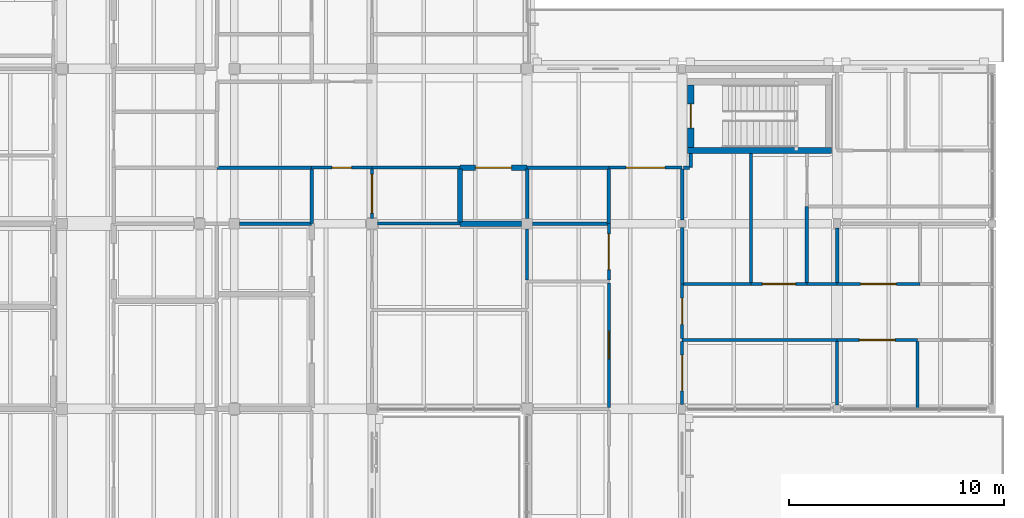
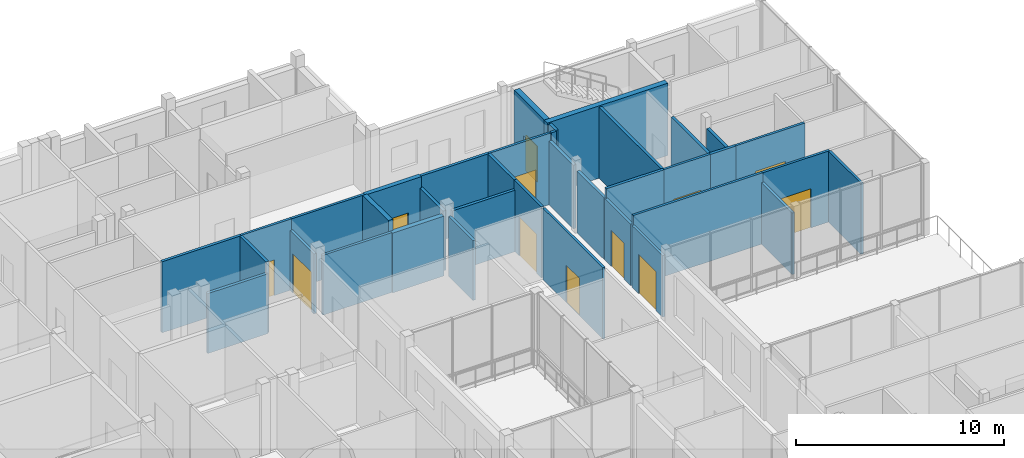
# One storey, part 121 of 146: 37 walls, 12 doors, 12 openings.
"""IFC4 building model written with IfcOpenShell, lengths in metres."""

from ifc_helpers import new_model, si_unit, direction, frame, frame_2d, origin, place, context, subcontext, project, spatial, rectangle, extrude, material, layer, layer_set, type_object, element, fill, save


model = new_model("IFC4")

# Units and contexts
model_context = context("Model", 3, precision=1e-05, world=origin(), true_north=direction((0.0, 1.0)))
body_context = subcontext(model_context, "Body", "Model", "MODEL_VIEW")
ifc_project = project(units=[si_unit("LENGTHUNIT", "METRE"), si_unit("AREAUNIT", "SQUARE_METRE"), si_unit("VOLUMEUNIT", "CUBIC_METRE"), si_unit("PLANEANGLEUNIT", "RADIAN"), si_unit("MASSUNIT", "GRAM", prefix="KILO")], contexts=[model_context])

# Site, building, storey
site_placement = place(None, origin())
site = spatial("IfcSite", under=ifc_project, at=site_placement, CompositionType="ELEMENT")
building_placement = place(site_placement, origin())
building = spatial("IfcBuilding", under=site, at=building_placement, Name="Hawrajan Terrace Health Centre", CompositionType="ELEMENT")
storey_placement = place(building_placement, frame((0.0, 0.0, 4.5)))
storey = spatial("IfcBuildingStorey", under=building, at=storey_placement, Name="L01", CompositionType="ELEMENT", Elevation=4.5)

# Wall, opening, door
ifc_material_1 = material(Name="Gypsum board on acoustic stud framing")
ifc_layer_1 = layer(ifc_material_1, 0.139892578125)
ifc_layer_set_1 = layer_set([ifc_layer_1], Name="Gypsum board on acoustic stud framing")
wall_type_1 = type_object("IfcWallType", Name="ClinicalAcousticWall_140", PredefinedType="PARTITIONING", material=ifc_layer_set_1)
wall_1_placement = place(storey_placement, frame((133.800048828125, 48.0, 0.0), z_axis=(0.0, 0.0, 1.0), x_axis=(1.0, 0.0, 0.0)))
wall_1 = element("IfcWall", 1, at=wall_1_placement, inside=storey, type_object=wall_type_1, Name="Interior wall IW-L01-0769", PredefinedType="PARTITIONING", context=body_context, shape_type="SweptSolid", body=[
    extrude(rectangle(XDim=2.800048828125, YDim=0.139892578125, at=frame_2d((1.39990234375, 0.0))), origin(), (0.0, 0.0, 1.0), 4.179931640625),
])
opening_1_placement = place(wall_1_placement, frame((0.93994140625, 0.0, 0.0)))
opening_1 = element("IfcOpeningElement", 2, at=opening_1_placement, cuts=wall_1, Name="Opening D-L01-285", PredefinedType="OPENING", context=body_context, shape_type="SweptSolid", body=[
    extrude(rectangle(XDim=0.919921875, YDim=2.10009765625, at=frame_2d((0.4599609375, 1.050048828125))), frame((0.0, 0.079833984375, 0.0), z_axis=(0.0, -1.0, 0.0), x_axis=(1.0, 0.0, 0.0)), (0.0, 0.0, 1.0), 0.159912109375),
])
ifc_material_2 = material(Name="Hardwood acoustic clinical door leaf and frame", Category="wood")
door_type_1 = type_object("IfcDoorType", Name="StaffOfficeDoor_920x2100", OperationType="NOTDEFINED", PredefinedType="DOOR", material=ifc_material_2)
door_1_placement = place(opening_1_placement, origin())
door_1 = element("IfcDoor", 3, at=door_1_placement, inside=storey, type_object=door_type_1, Name="Interior door D-L01-285", OperationType="SINGLE_SWING_LEFT", OverallHeight=2.10009765625, OverallWidth=0.919921875, PredefinedType="DOOR", context=body_context, shape_type="SweptSolid", body=[
    extrude(rectangle(XDim=0.919921875, YDim=2.10009765625, at=frame_2d((0.4599609375, 1.050048828125))), frame((0.0, 0.02490234375, 0.0), z_axis=(0.0, -1.0, 0.0), x_axis=(1.0, 0.0, 0.0)), (0.0, 0.0, 1.0), 0.050048828125),
])
fill(opening_1, door_1)

wall_2_placement = place(storey_placement, frame((136.60009765625, 45.64990234375, 0.0), z_axis=(0.0, 0.0, 1.0), x_axis=(0.0, 1.0, 0.0)))
wall_2 = element("IfcWall", 4, at=wall_2_placement, inside=storey, type_object=wall_type_1, Name="Interior wall IW-L01-0780", PredefinedType="PARTITIONING", context=body_context, shape_type="SweptSolid", body=[
    extrude(rectangle(XDim=2.280029296875, YDim=0.139892578125, at=frame_2d((1.14013671875, 0.0))), origin(), (0.0, 0.0, 1.0), 3.52001953125),
])
opening_2_placement = place(wall_2_placement, frame((0.239990234375, 0.0, 0.0)))
opening_2 = element("IfcOpeningElement", 5, at=opening_2_placement, cuts=wall_2, Name="Opening D-L01-409", PredefinedType="OPENING", context=body_context, shape_type="SweptSolid", body=[
    extrude(rectangle(XDim=1.800048828125, YDim=2.300048828125, at=frame_2d((0.89990234375, 1.14990234375))), frame((0.0, 0.079833984375, 0.0), z_axis=(0.0, -1.0, 0.0), x_axis=(1.0, 0.0, 0.0)), (0.0, 0.0, 1.0), 0.159912109375),
])
door_type_2 = type_object("IfcDoorType", Name="EducationHallDoor_1800x2300", OperationType="DOUBLE_DOOR_SINGLE_SWING", PredefinedType="DOOR", material=ifc_material_2)
door_2_placement = place(opening_2_placement, origin())
door_2 = element("IfcDoor", 6, at=door_2_placement, inside=storey, type_object=door_type_2, Name="Interior door D-L01-409", OperationType="DOUBLE_DOOR_SINGLE_SWING", OverallHeight=2.300048828125, OverallWidth=1.800048828125, PredefinedType="DOOR", context=body_context, shape_type="SweptSolid", body=[
    extrude(rectangle(XDim=1.800048828125, YDim=2.300048828125, at=frame_2d((0.89990234375, 1.14990234375))), frame((0.0, 0.02490234375, 0.0), z_axis=(0.0, -1.0, 0.0), x_axis=(1.0, 0.0, 0.0)), (0.0, 0.0, 1.0), 0.050048828125),
])
fill(opening_2, door_2)

# Walls
wall_3_placement = place(storey_placement, frame((136.85009765625, 45.39990234375, 0.0), z_axis=(0.0, 0.0, 1.0), x_axis=(1.0, 0.0, 0.0)))
element("IfcWall", 7, at=wall_3_placement, inside=storey, type_object=wall_type_1, Name="Interior wall IW-L01-0781", PredefinedType="PARTITIONING", context=body_context, shape_type="SweptSolid", body=[
    extrude(rectangle(XDim=3.83984375, YDim=0.139892578125, at=frame_2d((1.919921875, 0.0))), origin(), (0.0, 0.0, 1.0), 3.52001953125),
])
wall_4_placement = place(storey_placement, frame((136.60009765625, 48.0, 0.0), z_axis=(0.0, 0.0, 1.0), x_axis=(1.0, 0.0, 0.0)))
element("IfcWall", 8, at=wall_4_placement, inside=storey, type_object=wall_type_1, Name="Interior wall IW-L01-0782", PredefinedType="PARTITIONING", context=body_context, shape_type="SweptSolid", body=[
    extrude(rectangle(XDim=4.08984375, YDim=0.139892578125, at=frame_2d((2.044921875, 0.0))), origin(), (0.0, 0.0, 1.0), 4.179931640625),
])
wall_5_placement = place(storey_placement, frame((143.800048828125, 42.787109375, 0.0), z_axis=(0.0, 0.0, 1.0), x_axis=(0.0, 1.0, 0.0)))
element("IfcWall", 9, at=wall_5_placement, inside=storey, type_object=wall_type_1, Name="Interior wall IW-L01-0803", PredefinedType="PARTITIONING", context=body_context, shape_type="SweptSolid", body=[
    extrude(rectangle(XDim=2.36279296875, YDim=0.139892578125, at=frame_2d((1.181396484375, 0.0))), origin(), (0.0, 0.0, 1.0), 3.52001953125),
])

# Wall, opening, door
wall_6_placement = place(storey_placement, frame((147.60009765625, 36.8701171875, 0.0), z_axis=(0.0, 0.0, 1.0), x_axis=(0.0, 1.0, 0.0)))
wall_6 = element("IfcWall", 10, at=wall_6_placement, inside=storey, type_object=wall_type_1, Name="Interior wall IW-L01-0813", PredefinedType="PARTITIONING", context=body_context, shape_type="SweptSolid", body=[
    extrude(rectangle(XDim=5.77685546875, YDim=0.139892578125, at=frame_2d((2.888427734375, 0.0))), origin(), (0.0, 0.0, 1.0), 4.179931640625),
])
opening_3_placement = place(wall_6_placement, frame((2.24853515625, 0.0, 0.0)))
opening_3 = element("IfcOpeningElement", 11, at=opening_3_placement, cuts=wall_6, Name="Opening D-L01-417", PredefinedType="OPENING", context=body_context, shape_type="SweptSolid", body=[
    extrude(rectangle(XDim=1.280029296875, YDim=2.199951171875, at=frame_2d((0.64013671875, 1.10009765625))), frame((0.0, 0.079833984375, 0.0), z_axis=(0.0, -1.0, 0.0), x_axis=(1.0, 0.0, 0.0)), (0.0, 0.0, 1.0), 0.159912109375),
])
door_type_3 = type_object("IfcDoorType", Name="ExamSuiteDoor_1280x2200", OperationType="NOTDEFINED", PredefinedType="DOOR", material=ifc_material_2)
door_3_placement = place(opening_3_placement, origin())
door_3 = element("IfcDoor", 12, at=door_3_placement, inside=storey, type_object=door_type_3, Name="Interior door D-L01-417", OperationType="SINGLE_SWING_LEFT", OverallHeight=2.199951171875, OverallWidth=1.280029296875, PredefinedType="DOOR", context=body_context, shape_type="SweptSolid", body=[
    extrude(rectangle(XDim=1.280029296875, YDim=2.199951171875, at=frame_2d((0.64013671875, 1.10009765625))), frame((0.0, 0.02490234375, 0.0), z_axis=(0.0, -1.0, 0.0), x_axis=(1.0, 0.0, 0.0)), (0.0, 0.0, 1.0), 0.050048828125),
])
fill(opening_3, door_3)

wall_7_placement = place(storey_placement, frame((147.60009765625, 42.787109375, 0.0), z_axis=(0.0, 0.0, 1.0), x_axis=(0.0, 1.0, 0.0)))
wall_7 = element("IfcWall", 13, at=wall_7_placement, inside=storey, type_object=wall_type_1, Name="Interior wall IW-L01-0814", PredefinedType="PARTITIONING", context=body_context, shape_type="SweptSolid", body=[
    extrude(rectangle(XDim=2.61279296875, YDim=0.139892578125, at=frame_2d((1.306396484375, 0.0))), origin(), (0.0, 0.0, 1.0), 4.179931640625),
])
opening_4_placement = place(wall_7_placement, frame((0.4765625, 0.0, 0.0)))
opening_4 = element("IfcOpeningElement", 14, at=opening_4_placement, cuts=wall_7, Name="Opening D-L01-418", PredefinedType="OPENING", context=body_context, shape_type="SweptSolid", body=[
    extrude(rectangle(XDim=1.659912109375, YDim=2.300048828125, at=frame_2d((0.830078125, 1.14990234375))), frame((0.0, 0.079833984375, 0.0), z_axis=(0.0, -1.0, 0.0), x_axis=(1.0, 0.0, 0.0)), (0.0, 0.0, 1.0), 0.159912109375),
])
door_type_4 = type_object("IfcDoorType", Name="RehabGymDoor_1660x2300", OperationType="DOUBLE_DOOR_SINGLE_SWING", PredefinedType="DOOR", material=ifc_material_2)
door_4_placement = place(opening_4_placement, origin())
door_4 = element("IfcDoor", 15, at=door_4_placement, inside=storey, type_object=door_type_4, Name="Interior door D-L01-418", OperationType="DOUBLE_DOOR_SINGLE_SWING", OverallHeight=2.300048828125, OverallWidth=1.659912109375, PredefinedType="DOOR", context=body_context, shape_type="SweptSolid", body=[
    extrude(rectangle(XDim=1.659912109375, YDim=2.300048828125, at=frame_2d((0.830078125, 1.14990234375))), frame((0.0, 0.02490234375, 0.0), z_axis=(0.0, -1.0, 0.0), x_axis=(1.0, 0.0, 0.0)), (0.0, 0.0, 1.0), 0.050048828125),
])
fill(opening_4, door_4)

wall_8_placement = place(storey_placement, frame((147.60009765625, 48.0, 0.0), z_axis=(0.0, 0.0, 1.0), x_axis=(1.0, 0.0, 0.0)))
wall_8 = element("IfcWall", 16, at=wall_8_placement, inside=storey, type_object=wall_type_1, Name="Interior wall IW-L01-0815", PredefinedType="PARTITIONING", context=body_context, shape_type="SweptSolid", body=[
    extrude(rectangle(XDim=3.39990234375, YDim=0.139892578125, at=frame_2d((1.699951171875, 0.0))), origin(), (0.0, 0.0, 1.0), 4.179931640625),
])
opening_5_placement = place(wall_8_placement, frame((0.800048828125, 0.0, 0.0)))
opening_5 = element("IfcOpeningElement", 17, at=opening_5_placement, cuts=wall_8, Name="Opening D-L01-280", PredefinedType="OPENING", context=body_context, shape_type="SweptSolid", body=[
    extrude(rectangle(XDim=1.800048828125, YDim=2.300048828125, at=frame_2d((0.89990234375, 1.14990234375))), frame((0.0, 0.079833984375, 0.0), z_axis=(0.0, -1.0, 0.0), x_axis=(1.0, 0.0, 0.0)), (0.0, 0.0, 1.0), 0.159912109375),
])
door_5_placement = place(opening_5_placement, origin())
door_5 = element("IfcDoor", 18, at=door_5_placement, inside=storey, type_object=door_type_2, Name="Interior door D-L01-280", OperationType="DOUBLE_DOOR_SINGLE_SWING", OverallHeight=2.300048828125, OverallWidth=1.800048828125, PredefinedType="DOOR", context=body_context, shape_type="SweptSolid", body=[
    extrude(rectangle(XDim=1.800048828125, YDim=2.300048828125, at=frame_2d((0.89990234375, 1.14990234375))), frame((0.0, 0.02490234375, 0.0), z_axis=(0.0, -1.0, 0.0), x_axis=(1.0, 0.0, 0.0)), (0.0, 0.0, 1.0), 0.050048828125),
])
fill(opening_5, door_5)

wall_9_placement = place(storey_placement, frame((151.0, 37.010009765625, 0.0), z_axis=(0.0, 0.0, 1.0), x_axis=(0.0, 1.0, 0.0)))
wall_9 = element("IfcWall", 19, at=wall_9_placement, inside=storey, type_object=wall_type_1, Name="Interior wall IW-L01-0817", PredefinedType="PARTITIONING", context=body_context, shape_type="SweptSolid", body=[
    extrude(rectangle(XDim=2.919921875, YDim=0.139892578125, at=frame_2d((1.4599609375, 0.0))), origin(), (0.0, 0.0, 1.0), 3.6201171875),
])
opening_6_placement = place(wall_9_placement, frame((0.6298828125, 0.0, 0.0)))
opening_6 = element("IfcOpeningElement", 20, at=opening_6_placement, cuts=wall_9, Name="Opening D-L01-420", PredefinedType="OPENING", context=body_context, shape_type="SweptSolid", body=[
    extrude(rectangle(XDim=1.659912109375, YDim=2.300048828125, at=frame_2d((0.830078125, 1.14990234375))), frame((0.0, 0.079833984375, 0.0), z_axis=(0.0, -1.0, 0.0), x_axis=(1.0, 0.0, 0.0)), (0.0, 0.0, 1.0), 0.159912109375),
])
door_6_placement = place(opening_6_placement, origin())
door_6 = element("IfcDoor", 21, at=door_6_placement, inside=storey, type_object=door_type_4, Name="Interior door D-L01-420", OperationType="DOUBLE_DOOR_SINGLE_SWING", OverallHeight=2.300048828125, OverallWidth=1.659912109375, PredefinedType="DOOR", context=body_context, shape_type="SweptSolid", body=[
    extrude(rectangle(XDim=1.659912109375, YDim=2.300048828125, at=frame_2d((0.830078125, 1.14990234375))), frame((0.0, 0.02490234375, 0.0), z_axis=(0.0, -1.0, 0.0), x_axis=(1.0, 0.0, 0.0)), (0.0, 0.0, 1.0), 0.050048828125),
])
fill(opening_6, door_6)

wall_10_placement = place(storey_placement, frame((151.0, 40.070068359375, 0.0), z_axis=(0.0, 0.0, 1.0), x_axis=(0.0, 1.0, 0.0)))
wall_10 = element("IfcWall", 22, at=wall_10_placement, inside=storey, type_object=wall_type_1, Name="Interior wall IW-L01-0818", PredefinedType="PARTITIONING", context=body_context, shape_type="SweptSolid", body=[
    extrude(rectangle(XDim=2.530029296875, YDim=0.139892578125, at=frame_2d((1.26513671875, 0.0))), origin(), (0.0, 0.0, 1.0), 3.6201171875),
])
opening_7_placement = place(wall_10_placement, frame((0.655029296875, 0.0, 0.0)))
opening_7 = element("IfcOpeningElement", 23, at=opening_7_placement, cuts=wall_10, Name="Opening D-L01-279", PredefinedType="OPENING", context=body_context, shape_type="SweptSolid", body=[
    extrude(rectangle(XDim=1.219970703125, YDim=2.10009765625, at=frame_2d((0.60986328125, 1.050048828125))), frame((0.0, 0.079833984375, 0.0), z_axis=(0.0, -1.0, 0.0), x_axis=(1.0, 0.0, 0.0)), (0.0, 0.0, 1.0), 0.159912109375),
])
door_type_5 = type_object("IfcDoorType", Name="ConsultDoor_1220x2100", OperationType="NOTDEFINED", PredefinedType="DOOR", material=ifc_material_2)
door_7_placement = place(opening_7_placement, origin())
door_7 = element("IfcDoor", 24, at=door_7_placement, inside=storey, type_object=door_type_5, Name="Interior door D-L01-279", OperationType="SINGLE_SWING_LEFT", OverallHeight=2.10009765625, OverallWidth=1.219970703125, PredefinedType="DOOR", context=body_context, shape_type="SweptSolid", body=[
    extrude(rectangle(XDim=1.219970703125, YDim=2.10009765625, at=frame_2d((0.60986328125, 1.050048828125))), frame((0.0, 0.02490234375, 0.0), z_axis=(0.0, -1.0, 0.0), x_axis=(1.0, 0.0, 0.0)), (0.0, 0.0, 1.0), 0.050048828125),
])
fill(opening_7, door_7)

# Wall
wall_11_placement = place(storey_placement, frame((151.0, 40.0, 0.0), z_axis=(0.0, 0.0, 1.0), x_axis=(1.0, 0.0, 0.0)))
element("IfcWall", 25, at=wall_11_placement, inside=storey, type_object=wall_type_1, Name="Interior wall IW-L01-0819", PredefinedType="PARTITIONING", context=body_context, shape_type="SweptSolid", body=[
    extrude(rectangle(XDim=7.199951171875, YDim=0.139892578125, at=frame_2d((3.60009765625, 0.0))), origin(), (0.0, 0.0, 1.0), 4.179931640625),
])

# Wall, opening, door
wall_12_placement = place(storey_placement, frame((154.199951171875, 42.60009765625, 0.0), z_axis=(0.0, 0.0, 1.0), x_axis=(1.0, 0.0, 0.0)))
wall_12 = element("IfcWall", 26, at=wall_12_placement, inside=storey, type_object=wall_type_1, Name="Interior wall IW-L01-0822", PredefinedType="PARTITIONING", context=body_context, shape_type="SweptSolid", body=[
    extrude(rectangle(XDim=2.60009765625, YDim=0.139892578125, at=frame_2d((1.300048828125, 0.0))), origin(), (0.0, 0.0, 1.0), 4.179931640625),
])
opening_8_placement = place(wall_12_placement, frame((0.530029296875, 0.0, 0.0)))
opening_8 = element("IfcOpeningElement", 27, at=opening_8_placement, cuts=wall_12, Name="Opening D-L01-283", PredefinedType="OPENING", context=body_context, shape_type="SweptSolid", body=[
    extrude(rectangle(XDim=1.5400390625, YDim=2.25, at=frame_2d((0.77001953125, 1.125))), frame((0.0, 0.079833984375, 0.0), z_axis=(0.0, -1.0, 0.0), x_axis=(1.0, 0.0, 0.0)), (0.0, 0.0, 1.0), 0.159912109375),
])
door_type_6 = type_object("IfcDoorType", Name="RecoveryBayDoor_1540x2250", OperationType="DOUBLE_DOOR_SINGLE_SWING", PredefinedType="DOOR", material=ifc_material_2)
door_8_placement = place(opening_8_placement, origin())
door_8 = element("IfcDoor", 28, at=door_8_placement, inside=storey, type_object=door_type_6, Name="Interior door D-L01-283", OperationType="DOUBLE_DOOR_SINGLE_SWING", OverallHeight=2.25, OverallWidth=1.5400390625, PredefinedType="DOOR", context=body_context, shape_type="SweptSolid", body=[
    extrude(rectangle(XDim=1.5400390625, YDim=2.25, at=frame_2d((0.77001953125, 1.125))), frame((0.0, 0.02490234375, 0.0), z_axis=(0.0, -1.0, 0.0), x_axis=(1.0, 0.0, 0.0)), (0.0, 0.0, 1.0), 0.050048828125),
])
fill(opening_8, door_8)

# Wall
wall_13_placement = place(storey_placement, frame((158.199951171875, 36.97998046875, 0.0), z_axis=(0.0, 0.0, 1.0), x_axis=(0.0, 1.0, 0.0)))
element("IfcWall", 29, at=wall_13_placement, inside=storey, type_object=wall_type_1, Name="Interior wall IW-L01-0829", PredefinedType="PARTITIONING", context=body_context, shape_type="SweptSolid", body=[
    extrude(rectangle(XDim=2.949951171875, YDim=0.139892578125, at=frame_2d((1.47509765625, 0.0))), origin(), (0.0, 0.0, 1.0), 3.6201171875),
])

# Wall, opening, door
wall_14_placement = place(storey_placement, frame((158.199951171875, 40.0, 0.0), z_axis=(0.0, 0.0, 1.0), x_axis=(1.0, 0.0, 0.0)))
wall_14 = element("IfcWall", 30, at=wall_14_placement, inside=storey, type_object=wall_type_1, Name="Interior wall IW-L01-0830", PredefinedType="PARTITIONING", context=body_context, shape_type="SweptSolid", body=[
    extrude(rectangle(XDim=3.72216796875, YDim=0.139892578125, at=frame_2d((1.861083984375, 0.0))), origin(), (0.0, 0.0, 1.0), 4.179931640625),
])
opening_9_placement = place(wall_14_placement, frame((1.031005859375, 0.0, 0.0)))
opening_9 = element("IfcOpeningElement", 31, at=opening_9_placement, cuts=wall_14, Name="Opening D-L01-424", PredefinedType="OPENING", context=body_context, shape_type="SweptSolid", body=[
    extrude(rectangle(XDim=1.659912109375, YDim=2.300048828125, at=frame_2d((0.830078125, 1.14990234375))), frame((0.0, 0.079833984375, 0.0), z_axis=(0.0, -1.0, 0.0), x_axis=(1.0, 0.0, 0.0)), (0.0, 0.0, 1.0), 0.159912109375),
])
door_9_placement = place(opening_9_placement, origin())
door_9 = element("IfcDoor", 32, at=door_9_placement, inside=storey, type_object=door_type_4, Name="Interior door D-L01-424", OperationType="DOUBLE_DOOR_SINGLE_SWING", OverallHeight=2.300048828125, OverallWidth=1.659912109375, PredefinedType="DOOR", context=body_context, shape_type="SweptSolid", body=[
    extrude(rectangle(XDim=1.659912109375, YDim=2.300048828125, at=frame_2d((0.830078125, 1.14990234375))), frame((0.0, 0.02490234375, 0.0), z_axis=(0.0, -1.0, 0.0), x_axis=(1.0, 0.0, 0.0)), (0.0, 0.0, 1.0), 0.050048828125),
])
fill(opening_9, door_9)

wall_15_placement = place(storey_placement, frame((158.199951171875, 42.60009765625, 0.0), z_axis=(0.0, 0.0, 1.0), x_axis=(1.0, 0.0, 0.0)))
wall_15 = element("IfcWall", 33, at=wall_15_placement, inside=storey, type_object=wall_type_1, Name="Interior wall IW-L01-0831", PredefinedType="PARTITIONING", context=body_context, shape_type="SweptSolid", body=[
    extrude(rectangle(XDim=3.844970703125, YDim=0.139892578125, at=frame_2d((1.92236328125, 0.0))), origin(), (0.0, 0.0, 1.0), 4.179931640625),
])
opening_10_placement = place(wall_15_placement, frame((1.092529296875, 0.0, 0.0)))
opening_10 = element("IfcOpeningElement", 34, at=opening_10_placement, cuts=wall_15, Name="Opening D-L01-426", PredefinedType="OPENING", context=body_context, shape_type="SweptSolid", body=[
    extrude(rectangle(XDim=1.659912109375, YDim=2.300048828125, at=frame_2d((0.830078125, 1.14990234375))), frame((0.0, 0.079833984375, 0.0), z_axis=(0.0, -1.0, 0.0), x_axis=(1.0, 0.0, 0.0)), (0.0, 0.0, 1.0), 0.159912109375),
])
door_10_placement = place(opening_10_placement, origin())
door_10 = element("IfcDoor", 35, at=door_10_placement, inside=storey, type_object=door_type_4, Name="Interior door D-L01-426", OperationType="DOUBLE_DOOR_SINGLE_SWING", OverallHeight=2.300048828125, OverallWidth=1.659912109375, PredefinedType="DOOR", context=body_context, shape_type="SweptSolid", body=[
    extrude(rectangle(XDim=1.659912109375, YDim=2.300048828125, at=frame_2d((0.830078125, 1.14990234375))), frame((0.0, 0.02490234375, 0.0), z_axis=(0.0, -1.0, 0.0), x_axis=(1.0, 0.0, 0.0)), (0.0, 0.0, 1.0), 0.050048828125),
])
fill(opening_10, door_10)

# Walls
wall_16_placement = place(storey_placement, frame((161.922119140625, 36.800048828125, 0.0), z_axis=(0.0, 0.0, 1.0), x_axis=(0.0, 1.0, 0.0)))
element("IfcWall", 36, at=wall_16_placement, inside=storey, type_object=wall_type_1, Name="Interior wall IW-L01-0837", PredefinedType="PARTITIONING", context=body_context, shape_type="SweptSolid", body=[
    extrude(rectangle(XDim=3.1298828125, YDim=0.139892578125, at=frame_2d((1.56494140625, 0.0))), origin(), (0.0, 0.0, 1.0), 4.179931640625),
])
ifc_material_3 = material(Name="Concrete C40/50", Category="concrete")
ifc_layer_2 = layer(ifc_material_3, 0.300048828125)
ifc_layer_set_2 = layer_set([ifc_layer_2], Name="Concrete C40/50")
wall_type_2 = type_object("IfcWallType", Name="CoreShearWall_RC300", PredefinedType="SHEAR", material=ifc_layer_set_2)
wall_17_placement = place(storey_placement, frame((151.25, 48.800048828125, 0.0), z_axis=(0.0, 0.0, 1.0), x_axis=(1.0, 0.0, 0.0)))
element("IfcWall", 37, at=wall_17_placement, inside=storey, type_object=wall_type_2, Name="Core shear wall SW-S9-L01-S", PredefinedType="SHEAR", context=body_context, shape_type="SweptSolid", body=[
    extrude(rectangle(XDim=6.699951171875, YDim=0.300048828125, at=frame_2d((3.35009765625, 0.0))), origin(), (0.0, 0.0, 1.0), 4.25),
])

# Wall, opening, door
wall_18_placement = place(storey_placement, frame((151.39990234375, 48.949951171875, 0.0), z_axis=(0.0, 0.0, 1.0), x_axis=(0.0, 1.0, 0.0)))
wall_18 = element("IfcWall", 38, at=wall_18_placement, inside=storey, type_object=wall_type_2, Name="Core shear wall SW-S9-L01-W", PredefinedType="SHEAR", context=body_context, shape_type="SweptSolid", body=[
    extrude(rectangle(XDim=2.900146484375, YDim=0.300048828125, at=frame_2d((1.4501953125, 0.0))), origin(), (0.0, 0.0, 1.0), 4.25),
])
opening_11_placement = place(wall_18_placement, frame((0.889892578125, 0.0, 0.0)))
opening_11 = element("IfcOpeningElement", 39, at=opening_11_placement, cuts=wall_18, Name="Opening D-L01-247", PredefinedType="OPENING", context=body_context, shape_type="SweptSolid", body=[
    extrude(rectangle(XDim=1.1201171875, YDim=2.10009765625, at=frame_2d((0.56005859375, 1.050048828125))), frame((0.0, 0.159912109375, 0.0), z_axis=(0.0, -1.0, 0.0), x_axis=(1.0, 0.0, 0.0)), (0.0, 0.0, 1.0), 0.320068359375),
])
ifc_material_4 = material(Name="Timber-veneered acoustic fire-resisting door assembly", Category="wood")
door_type_7 = type_object("IfcDoorType", Name="CoreStairDoor_1120x2100", OperationType="NOTDEFINED", PredefinedType="DOOR", material=ifc_material_4)
door_11_placement = place(opening_11_placement, origin())
door_11 = element("IfcDoor", 40, at=door_11_placement, inside=storey, type_object=door_type_7, Name="Interior door D-L01-247", OperationType="SINGLE_SWING_LEFT", OverallHeight=2.10009765625, OverallWidth=1.1201171875, PredefinedType="DOOR", context=body_context, shape_type="SweptSolid", body=[
    extrude(rectangle(XDim=1.1201171875, YDim=2.10009765625, at=frame_2d((0.56005859375, 1.050048828125))), frame((0.0, 0.02490234375, 0.0), z_axis=(0.0, -1.0, 0.0), x_axis=(1.0, 0.0, 0.0)), (0.0, 0.0, 1.0), 0.050048828125),
])
fill(opening_11, door_11)

# Walls
ifc_layer_3 = layer(ifc_material_1, 0.159912109375)
ifc_layer_set_3 = layer_set([ifc_layer_3], Name="Gypsum board on acoustic stud framing")
wall_type_3 = type_object("IfcWallType", Name="CorridorFireWall_160", PredefinedType="PARTITIONING", material=ifc_layer_set_3)
wall_19_placement = place(storey_placement, frame((151.0, 42.60009765625, 0.0), z_axis=(0.0, 0.0, 1.0), x_axis=(0.0, 1.0, 0.0)))
element("IfcWall", 41, at=wall_19_placement, inside=storey, type_object=wall_type_3, Name="Interior wall IW-L01-0883", PredefinedType="PARTITIONING", context=body_context, shape_type="SweptSolid", body=[
    extrude(rectangle(XDim=2.619873046875, YDim=0.159912109375, at=frame_2d((1.31005859375, 0.0))), origin(), (0.0, 0.0, 1.0), 3.6201171875),
])
wall_20_placement = place(storey_placement, frame((151.0, 45.580078125, 0.0), z_axis=(0.0, 0.0, 1.0), x_axis=(0.0, 1.0, 0.0)))
element("IfcWall", 42, at=wall_20_placement, inside=storey, type_object=wall_type_3, Name="Interior wall IW-L01-0884", PredefinedType="PARTITIONING", context=body_context, shape_type="SweptSolid", body=[
    extrude(rectangle(XDim=2.349853515625, YDim=0.159912109375, at=frame_2d((1.1748046875, 0.0))), origin(), (0.0, 0.0, 1.0), 3.739990234375),
])
wall_21_placement = place(storey_placement, frame((147.60009765625, 45.39990234375, 0.0), z_axis=(0.0, 0.0, 1.0), x_axis=(0.0, 1.0, 0.0)))
element("IfcWall", 43, at=wall_21_placement, inside=storey, type_object=wall_type_3, Name="Interior wall IW-L01-0885", PredefinedType="PARTITIONING", context=body_context, shape_type="SweptSolid", body=[
    extrude(rectangle(XDim=2.530029296875, YDim=0.159912109375, at=frame_2d((1.26513671875, 0.0))), origin(), (0.0, 0.0, 1.0), 4.179931640625),
])
wall_22_placement = place(storey_placement, frame((158.199951171875, 42.60009765625, 0.0), z_axis=(0.0, 0.0, 1.0), x_axis=(-1.0, 0.0, 0.0)))
element("IfcWall", 44, at=wall_22_placement, inside=storey, type_object=wall_type_3, Name="Interior wall IW-L01-0892", PredefinedType="PARTITIONING", context=body_context, shape_type="SweptSolid", body=[
    extrude(rectangle(XDim=1.39990234375, YDim=0.159912109375, at=frame_2d((0.699951171875, 0.0))), origin(), (0.0, 0.0, 1.0), 4.179931640625),
])
wall_23_placement = place(storey_placement, frame((154.199951171875, 42.60009765625, 0.0), z_axis=(0.0, 0.0, 1.0), x_axis=(-1.0, 0.0, 0.0)))
element("IfcWall", 45, at=wall_23_placement, inside=storey, type_object=wall_type_3, Name="Interior wall IW-L01-0893", PredefinedType="PARTITIONING", context=body_context, shape_type="SweptSolid", body=[
    extrude(rectangle(XDim=3.199951171875, YDim=0.159912109375, at=frame_2d((1.60009765625, 0.0))), origin(), (0.0, 0.0, 1.0), 4.179931640625),
])
wall_24_placement = place(storey_placement, frame((156.800048828125, 42.669921875, 0.0), z_axis=(0.0, 0.0, 1.0), x_axis=(0.0, 1.0, 0.0)))
element("IfcWall", 46, at=wall_24_placement, inside=storey, type_object=wall_type_3, Name="Interior wall IW-L01-0894", PredefinedType="PARTITIONING", context=body_context, shape_type="SweptSolid", body=[
    extrude(rectangle(XDim=3.530029296875, YDim=0.159912109375, at=frame_2d((1.76513671875, 0.0))), origin(), (0.0, 0.0, 1.0), 4.179931640625),
])
wall_25_placement = place(storey_placement, frame((154.199951171875, 42.669921875, 0.0), z_axis=(0.0, 0.0, 1.0), x_axis=(0.0, 1.0, 0.0)))
element("IfcWall", 47, at=wall_25_placement, inside=storey, type_object=wall_type_3, Name="Interior wall IW-L01-0895", PredefinedType="PARTITIONING", context=body_context, shape_type="SweptSolid", body=[
    extrude(rectangle(XDim=5.989990234375, YDim=0.159912109375, at=frame_2d((2.9951171875, 0.0))), origin(), (0.0, 0.0, 1.0), 4.179931640625),
])
wall_26_placement = place(storey_placement, frame((129.405029296875, 48.0, 0.0), z_axis=(0.0, 0.0, 1.0), x_axis=(1.0, 0.0, 0.0)))
element("IfcWall", 48, at=wall_26_placement, inside=storey, type_object=wall_type_3, Name="Interior wall IW-L01-0900", PredefinedType="PARTITIONING", context=body_context, shape_type="SweptSolid", body=[
    extrude(rectangle(XDim=4.39501953125, YDim=0.159912109375, at=frame_2d((2.197509765625, 0.0))), origin(), (0.0, 0.0, 1.0), 4.179931640625),
])
wall_27_placement = place(storey_placement, frame((143.800048828125, 48.0, 0.0), z_axis=(0.0, 0.0, 1.0), x_axis=(1.0, 0.0, 0.0)))
element("IfcWall", 49, at=wall_27_placement, inside=storey, type_object=wall_type_3, Name="Interior wall IW-L01-0901", PredefinedType="PARTITIONING", context=body_context, shape_type="SweptSolid", body=[
    extrude(rectangle(XDim=3.800048828125, YDim=0.159912109375, at=frame_2d((1.89990234375, 0.0))), origin(), (0.0, 0.0, 1.0), 4.179931640625),
])
wall_28_placement = place(storey_placement, frame((151.06005859375, 48.0, 0.0), z_axis=(0.0, 0.0, 1.0), x_axis=(1.0, 0.0, 0.0)))
element("IfcWall", 50, at=wall_28_placement, inside=storey, type_object=wall_type_3, Name="Interior wall IW-L01-0902", PredefinedType="PARTITIONING", context=body_context, shape_type="SweptSolid", body=[
    extrude(rectangle(XDim=0.280029296875, YDim=0.159912109375, at=frame_2d((0.14013671875, 0.0))), origin(), (0.0, 0.0, 1.0), 4.179931640625),
])
wall_29_placement = place(storey_placement, frame((151.39990234375, 48.0, 0.0), z_axis=(0.0, 0.0, 1.0), x_axis=(0.0, 1.0, 0.0)))
element("IfcWall", 51, at=wall_29_placement, inside=storey, type_object=wall_type_3, Name="Interior wall IW-L01-0903", PredefinedType="PARTITIONING", context=body_context, shape_type="SweptSolid", body=[
    extrude(rectangle(XDim=0.659912109375, YDim=0.159912109375, at=frame_2d((0.330078125, 0.0))), origin(), (0.0, 0.0, 1.0), 4.179931640625),
])
wall_30_placement = place(storey_placement, frame((133.800048828125, 45.39990234375, 0.0), z_axis=(0.0, 0.0, 1.0), x_axis=(0.0, 1.0, 0.0)))
element("IfcWall", 52, at=wall_30_placement, inside=storey, type_object=wall_type_3, Name="Interior wall IW-L01-0910", PredefinedType="PARTITIONING", context=body_context, shape_type="SweptSolid", body=[
    extrude(rectangle(XDim=2.530029296875, YDim=0.159912109375, at=frame_2d((1.26513671875, 0.0))), origin(), (0.0, 0.0, 1.0), 4.179931640625),
])
wall_31_placement = place(storey_placement, frame((133.800048828125, 45.39990234375, 0.0), z_axis=(0.0, 0.0, 1.0), x_axis=(-1.0, 0.0, 0.0)))
element("IfcWall", 53, at=wall_31_placement, inside=storey, type_object=wall_type_3, Name="Interior wall IW-L01-0965", PredefinedType="PARTITIONING", context=body_context, shape_type="SweptSolid", body=[
    extrude(rectangle(XDim=3.35009765625, YDim=0.159912109375, at=frame_2d((1.675048828125, 0.0))), origin(), (0.0, 0.0, 1.0), 3.52001953125),
])
wall_32_placement = place(storey_placement, frame((143.800048828125, 45.64990234375, 0.0), z_axis=(0.0, 0.0, 1.0), x_axis=(0.0, 1.0, 0.0)))
element("IfcWall", 54, at=wall_32_placement, inside=storey, type_object=wall_type_3, Name="Interior wall IW-L01-0969", PredefinedType="PARTITIONING", context=body_context, shape_type="SweptSolid", body=[
    extrude(rectangle(XDim=2.280029296875, YDim=0.159912109375, at=frame_2d((1.14013671875, 0.0))), origin(), (0.0, 0.0, 1.0), 3.52001953125),
])
wall_33_placement = place(storey_placement, frame((147.60009765625, 45.39990234375, 0.0), z_axis=(0.0, 0.0, 1.0), x_axis=(-1.0, 0.0, 0.0)))
element("IfcWall", 55, at=wall_33_placement, inside=storey, type_object=wall_type_3, Name="Interior wall IW-L01-0971", PredefinedType="PARTITIONING", context=body_context, shape_type="SweptSolid", body=[
    extrude(rectangle(XDim=3.550048828125, YDim=0.159912109375, at=frame_2d((1.77490234375, 0.0))), origin(), (0.0, 0.0, 1.0), 3.6201171875),
])
wall_34_placement = place(storey_placement, frame((158.199951171875, 42.669921875, 0.0), z_axis=(0.0, 0.0, 1.0), x_axis=(0.0, 1.0, 0.0)))
element("IfcWall", 56, at=wall_34_placement, inside=storey, type_object=wall_type_3, Name="Interior wall IW-L01-0976", PredefinedType="PARTITIONING", context=body_context, shape_type="SweptSolid", body=[
    extrude(rectangle(XDim=2.52001953125, YDim=0.159912109375, at=frame_2d((1.260009765625, 0.0))), origin(), (0.0, 0.0, 1.0), 3.6201171875),
])
ifc_layer_4 = layer(ifc_material_3, 0.25)
ifc_layer_set_4 = layer_set([ifc_layer_4], Name="Concrete C40/50")
wall_type_4 = type_object("IfcWallType", Name="RadiationShieldWall_RC250", PredefinedType="SOLIDWALL", material=ifc_layer_set_4)
wall_35_placement = place(storey_placement, frame((140.68994140625, 45.469970703125, 0.0), z_axis=(0.0, 0.0, 1.0), x_axis=(0.0, 1.0, 0.0)))
element("IfcWall", 57, at=wall_35_placement, inside=storey, type_object=wall_type_4, Name="Interior wall IW-L01-0789", PredefinedType="SOLIDWALL", context=body_context, shape_type="SweptSolid", body=[
    extrude(rectangle(XDim=2.4599609375, YDim=0.25, at=frame_2d((1.22998046875, 0.0))), origin(), (0.0, 0.0, 1.0), 4.179931640625),
])
wall_36_placement = place(storey_placement, frame((140.68994140625, 45.39990234375, 0.0), z_axis=(0.0, 0.0, 1.0), x_axis=(1.0, 0.0, 0.0)))
element("IfcWall", 58, at=wall_36_placement, inside=storey, type_object=wall_type_4, Name="Interior wall IW-L01-0790", PredefinedType="SOLIDWALL", context=body_context, shape_type="SweptSolid", body=[
    extrude(rectangle(XDim=2.860107421875, YDim=0.25, at=frame_2d((1.43017578125, 0.0))), origin(), (0.0, 0.0, 1.0), 3.52001953125),
])

# Wall, opening, door
wall_37_placement = place(storey_placement, frame((140.68994140625, 48.0, 0.0), z_axis=(0.0, 0.0, 1.0), x_axis=(1.0, 0.0, 0.0)))
wall_37 = element("IfcWall", 59, at=wall_37_placement, inside=storey, type_object=wall_type_4, Name="Interior wall IW-L01-0791", PredefinedType="SOLIDWALL", context=body_context, shape_type="SweptSolid", body=[
    extrude(rectangle(XDim=3.110107421875, YDim=0.25, at=frame_2d((1.55517578125, 0.0))), origin(), (0.0, 0.0, 1.0), 4.179931640625),
])
opening_12_placement = place(wall_37_placement, frame((0.715087890625, 0.0, 0.0)))
opening_12 = element("IfcOpeningElement", 60, at=opening_12_placement, cuts=wall_37, Name="Opening D-L01-410", PredefinedType="OPENING", context=body_context, shape_type="SweptSolid", body=[
    extrude(rectangle(XDim=1.679931640625, YDim=2.300048828125, at=frame_2d((0.83984375, 1.14990234375))), frame((0.0, 0.135009765625, 0.0), z_axis=(0.0, -1.0, 0.0), x_axis=(1.0, 0.0, 0.0)), (0.0, 0.0, 1.0), 0.27001953125),
])
door_type_8 = type_object("IfcDoorType", Name="ImagingShieldedDoor_1680x2300", OperationType="DOUBLE_DOOR_SINGLE_SWING", PredefinedType="DOOR", material=ifc_material_4)
door_12_placement = place(opening_12_placement, origin())
door_12 = element("IfcDoor", 61, at=door_12_placement, inside=storey, type_object=door_type_8, Name="Interior door D-L01-410", OperationType="DOUBLE_DOOR_SINGLE_SWING", OverallHeight=2.300048828125, OverallWidth=1.679931640625, PredefinedType="DOOR", context=body_context, shape_type="SweptSolid", body=[
    extrude(rectangle(XDim=1.679931640625, YDim=2.300048828125, at=frame_2d((0.83984375, 1.14990234375))), frame((0.0, 0.02490234375, 0.0), z_axis=(0.0, -1.0, 0.0), x_axis=(1.0, 0.0, 0.0)), (0.0, 0.0, 1.0), 0.050048828125),
])
fill(opening_12, door_12)

save(model, "model.ifc")
